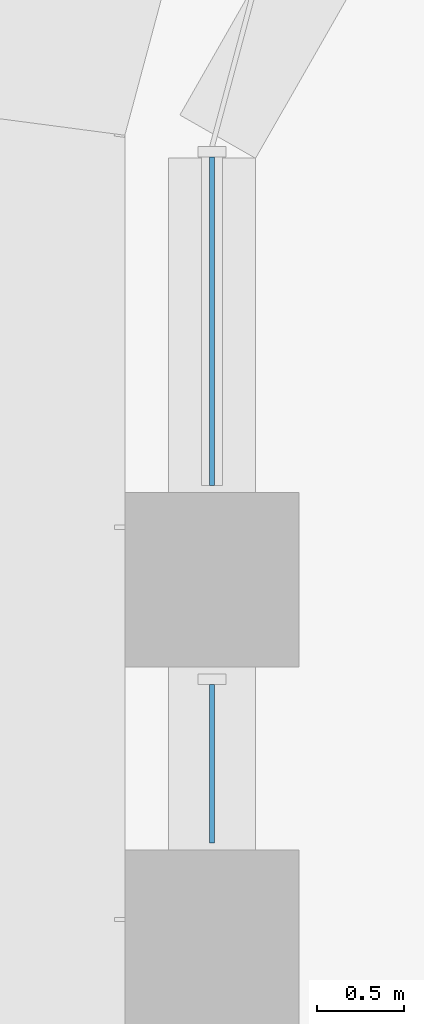
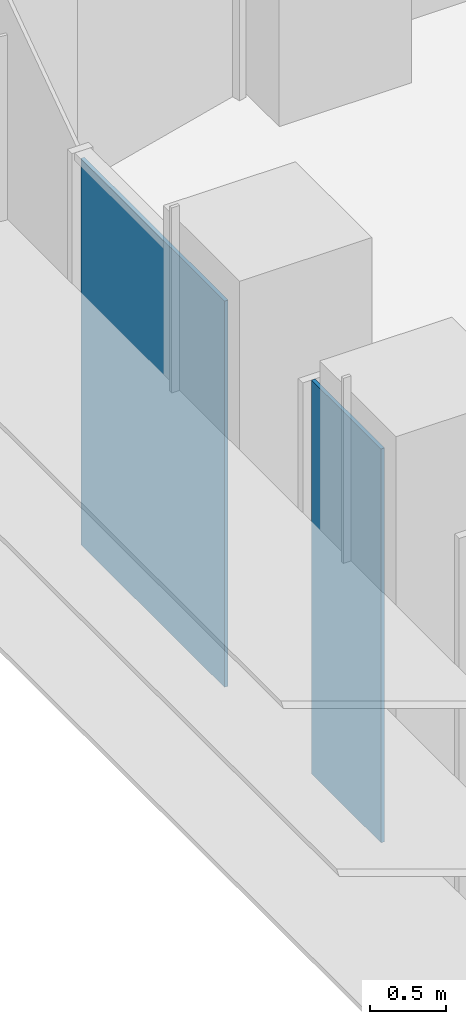
# One storey, part 14 of 23: 2 plates, 1 element without a shape of its own.
"""IFC4 building model written with IfcOpenShell, lengths in metres."""

from ifc_helpers import new_model, si_unit, direction, frame, origin, place, context, subcontext, project, spatial, polyline, outline, extrude, source, transform, mapped, material, layer, layer_set, type_object, element, aggregate, save


model = new_model("IFC4")

# Units and contexts
model_context = context("Model", 3, precision=1e-05, world=origin(), true_north=direction((0.0, 1.0)))
body_context = subcontext(model_context, "Body", "Model", "MODEL_VIEW")
ifc_project = project(units=[si_unit("LENGTHUNIT", "METRE"), si_unit("AREAUNIT", "SQUARE_METRE"), si_unit("VOLUMEUNIT", "CUBIC_METRE"), si_unit("PLANEANGLEUNIT", "RADIAN"), si_unit("MASSUNIT", "GRAM", prefix="KILO")], contexts=[model_context])

# Site, building, storey
site_placement = place(None, origin())
site = spatial("IfcSite", under=ifc_project, at=site_placement, CompositionType="ELEMENT")
building_placement = place(site_placement, origin())
building = spatial("IfcBuilding", under=site, at=building_placement, Name="Zarbagh Exchange Tower", CompositionType="ELEMENT")
storey_placement = place(building_placement, frame((0.0, 0.0, 43.800048828125)))
storey = spatial("IfcBuildingStorey", under=building, at=storey_placement, Name="L09", CompositionType="ELEMENT", Elevation=43.800048828125)

# Curtain wall, plates
ifc_material_1 = material(Name="Anodised aluminium frame and glazing", Category="aluminium")
curtain_wall_type = type_object("IfcCurtainWallType", Name="CWA Ribbon glazing, lower zones", PredefinedType="NOTDEFINED", material=ifc_material_1)
curtain_wall_placement = place(storey_placement, origin())
curtain_wall = element("IfcCurtainWall", 1, at=curtain_wall_placement, inside=storey, type_object=curtain_wall_type, Name="CWA28 curtain wall", PredefinedType="NOTDEFINED")
ifc_material_2 = material(Name="Low-e double glazed unit, 6+12+6 mm")
ifc_layer = layer(ifc_material_2, 0.028076171875)
ifc_layer_set = layer_set([ifc_layer], Name="PAA Glazing panel, Low-e double glazed unit, 6+12+6 mm")
plate_type = type_object("IfcPlateType", Name="PAA Glazing panel, Low-e double glazed unit, 6+12+6 mm", PredefinedType="CURTAIN_PANEL", material=ifc_layer_set)
shared_shape_1 = source(origin(), body_context, "Body", "SweptSolid", [
    extrude(outline(polyline([(0.0, -0.013916015625), (0.909912109375, -0.013916015625), (0.909912109375, 0.013916015625), (0.0, 0.013916015625), (0.0, -0.013916015625)])), origin(), (0.0, 0.0, 1.0), 3.14990234375),
])
placement = place(storey_placement, origin())
plate_1 = element("IfcPlate", 2, at=placement, type_object=plate_type, Name="CWA28 glazing panel 2.1", PredefinedType="CURTAIN_PANEL", context=body_context, shape_type="MappedRepresentation", body=[
    mapped(shared_shape_1, transform((-6.25, 26.099853515625, 0.0), x_axis=(0.0, -1.0, 0.0), y_axis=(1.0, 0.0, 0.0), z_axis=(0.0, 0.0, 1.0))),
])
shared_shape_2 = source(origin(), body_context, "Body", "SweptSolid", [
    extrude(outline(polyline([(0.0, -0.013916015625), (1.88427734375, -0.013916015625), (1.88427734375, 0.013916015625), (0.0, 0.013916015625), (0.0, -0.013916015625)])), origin(), (0.0, 0.0, 1.0), 3.090087890625),
])
plate_2 = element("IfcPlate", 3, at=placement, type_object=plate_type, Name="CWA28 glazing panel 1.1", PredefinedType="CURTAIN_PANEL", context=body_context, shape_type="MappedRepresentation", body=[
    mapped(shared_shape_2, transform((-6.25, 29.124267578125, 0.0), x_axis=(0.0, -1.0, 0.0), y_axis=(1.0, 0.0, 0.0), z_axis=(0.0, 0.0, 1.0))),
])
aggregate(curtain_wall, [plate_2, plate_1])

save(model, "model.ifc")
